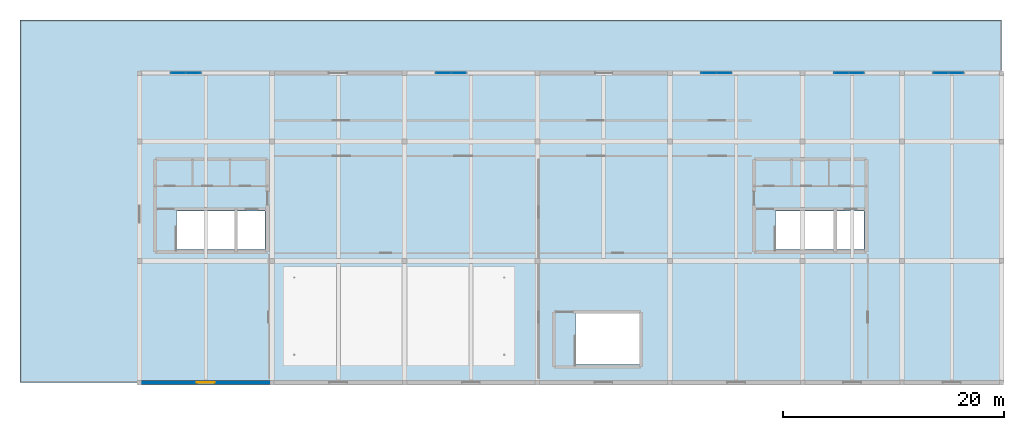
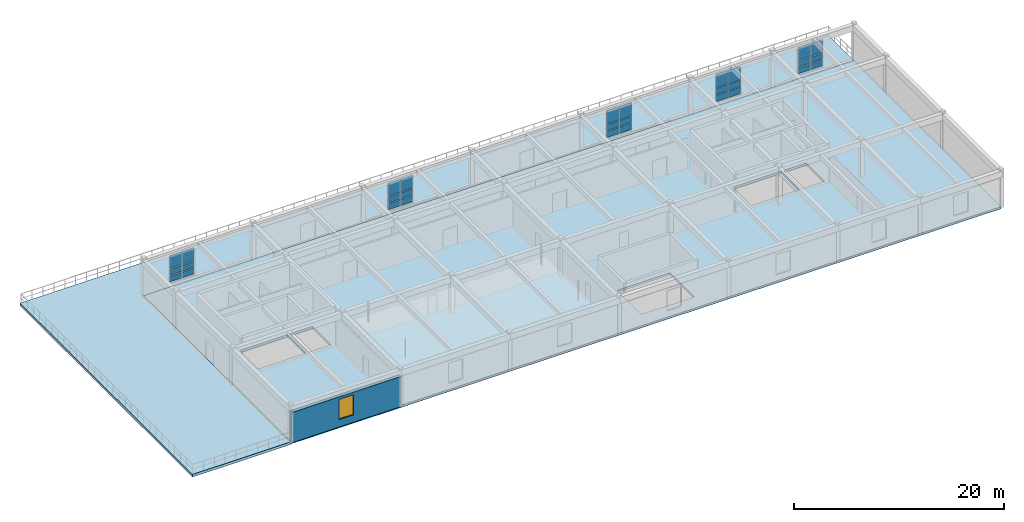
# One storey, part 11 of 15: 30 plates, 2 slabs, 1 wall, 1 window, 1 opening, 5 elements without a shape of their own.
"""IFC4 building model written with IfcOpenShell, lengths in metres."""

from ifc_helpers import new_model, si_unit, derived_unit, direction, frame, frame_2d, origin, origin_2d, place, context, subcontext, project, spatial, polyline, rectangle, outline, extrude, material, layer, layer_set, type_object, element, fill, aggregate, save


model = new_model("IFC4")

# Units and contexts
model_context = context("Model", 3, precision=1e-05, world=origin(), true_north=direction((0.0, 1.0)))
body_context = subcontext(model_context, "Body", "Model", "MODEL_VIEW")
ifc_project = project(units=[si_unit("LENGTHUNIT", "METRE"), si_unit("AREAUNIT", "SQUARE_METRE"), si_unit("VOLUMEUNIT", "CUBIC_METRE"), si_unit("PLANEANGLEUNIT", "RADIAN"), si_unit("MASSUNIT", "GRAM", prefix="KILO"), derived_unit("THERMALTRANSMITTANCEUNIT", [(si_unit("POWERUNIT", "WATT"), 1), (si_unit("LENGTHUNIT", "METRE"), -2), (si_unit("THERMODYNAMICTEMPERATUREUNIT", "KELVIN"), -1)])], contexts=[model_context])

# Site, building, storey
site_placement = place(None, origin())
site = spatial("IfcSite", under=ifc_project, at=site_placement, CompositionType="ELEMENT")
building_placement = place(site_placement, origin())
building = spatial("IfcBuilding", under=site, at=building_placement, Name="Almenara Railside Exhibition Hall", CompositionType="ELEMENT")
storey_placement = place(building_placement, frame((0.0, 0.0, 16.199951171875)))
storey = spatial("IfcBuildingStorey", under=building, at=storey_placement, Name="L03", CompositionType="ELEMENT", Elevation=16.199951171875)

# Curtain wall, plates
ifc_material_1 = material(Name="Bronze-anodised aluminium and low-E double glazing", Category="aluminium")
ifc_layer_1 = layer(ifc_material_1, 0.179931640625, Name="Bronze-anodised aluminium and low-E double glazing")
ifc_layer_set_1 = layer_set([ifc_layer_1], Name="Bronze-anodised aluminium and low-E double glazing")
curtain_wall_type = type_object("IfcCurtainWallType", Name="Belvedere North Loggia Curtain Wall 2800x3300", PredefinedType="NOTDEFINED", material=ifc_layer_set_1)
curtain_wall_1_placement = place(storey_placement, origin())
curtain_wall_1 = element("IfcCurtainWall", 1, at=curtain_wall_1_placement, inside=storey, type_object=curtain_wall_type, Name="Curtain wall CW-BV1-165", PredefinedType="NOTDEFINED")
ifc_material_2 = material(Name="Solar-control acoustic laminated glazing", Category="glass")
ifc_layer_2 = layer(ifc_material_2, 0.031982421875, Name="Solar-control acoustic laminated glazing")
ifc_layer_set_2 = layer_set([ifc_layer_2], Name="Solar-control acoustic laminated glazing")
plate_type_1 = type_object("IfcPlateType", Name="Acoustic Low-E Double Glazing Panel 32mm", PredefinedType="CURTAIN_PANEL", material=ifc_layer_set_2)
plate_1_placement = place(storey_placement, frame((177.514892578125, 28.0, 0.5439453125), z_axis=(0.0, 0.0, 1.0), x_axis=(1.0, 0.0, 0.0)))
plate_1 = element("IfcPlate", 2, at=plate_1_placement, type_object=plate_type_1, Name="CW-BV1-165 panel 1.1", PredefinedType="CURTAIN_PANEL", context=body_context, shape_type="SweptSolid", body=[
    extrude(rectangle(XDim=1.325927734375, YDim=0.031982421875, at=origin_2d()), origin(), (0.0, 0.0, 1.0), 0.717041015625),
])
plate_2_placement = place(storey_placement, frame((177.514892578125, 28.0, 1.3388671875), z_axis=(0.0, 0.0, 1.0), x_axis=(1.0, 0.0, 0.0)))
plate_2 = element("IfcPlate", 3, at=plate_2_placement, type_object=plate_type_1, Name="CW-BV1-165 panel 1.2", PredefinedType="CURTAIN_PANEL", context=body_context, shape_type="SweptSolid", body=[
    extrude(rectangle(XDim=1.325927734375, YDim=0.031982421875, at=origin_2d()), origin(), (0.0, 0.0, 1.0), 0.721923828125),
])
plate_3_placement = place(storey_placement, frame((177.514892578125, 28.0, 2.138916015625), z_axis=(0.0, 0.0, 1.0), x_axis=(1.0, 0.0, 0.0)))
plate_3 = element("IfcPlate", 4, at=plate_3_placement, type_object=plate_type_1, Name="CW-BV1-165 panel 1.3", PredefinedType="CURTAIN_PANEL", context=body_context, shape_type="SweptSolid", body=[
    extrude(rectangle(XDim=1.325927734375, YDim=0.031982421875, at=origin_2d()), origin(), (0.0, 0.0, 1.0), 1.51708984375),
])
plate_4_placement = place(storey_placement, frame((178.885009765625, 28.0, 0.5439453125), z_axis=(0.0, 0.0, 1.0), x_axis=(1.0, 0.0, 0.0)))
plate_4 = element("IfcPlate", 5, at=plate_4_placement, type_object=plate_type_1, Name="CW-BV1-165 panel 2.1", PredefinedType="CURTAIN_PANEL", context=body_context, shape_type="SweptSolid", body=[
    extrude(rectangle(XDim=1.325927734375, YDim=0.031982421875, at=origin_2d()), origin(), (0.0, 0.0, 1.0), 0.717041015625),
])
plate_5_placement = place(storey_placement, frame((178.885009765625, 28.0, 1.3388671875), z_axis=(0.0, 0.0, 1.0), x_axis=(1.0, 0.0, 0.0)))
plate_5 = element("IfcPlate", 6, at=plate_5_placement, type_object=plate_type_1, Name="CW-BV1-165 panel 2.2", PredefinedType="CURTAIN_PANEL", context=body_context, shape_type="SweptSolid", body=[
    extrude(rectangle(XDim=1.325927734375, YDim=0.031982421875, at=origin_2d()), origin(), (0.0, 0.0, 1.0), 0.721923828125),
])
plate_6_placement = place(storey_placement, frame((178.885009765625, 28.0, 2.138916015625), z_axis=(0.0, 0.0, 1.0), x_axis=(1.0, 0.0, 0.0)))
plate_6 = element("IfcPlate", 7, at=plate_6_placement, type_object=plate_type_1, Name="CW-BV1-165 panel 2.3", PredefinedType="CURTAIN_PANEL", context=body_context, shape_type="SweptSolid", body=[
    extrude(rectangle(XDim=1.325927734375, YDim=0.031982421875, at=origin_2d()), origin(), (0.0, 0.0, 1.0), 1.51708984375),
])
aggregate(curtain_wall_1, [plate_1, plate_2, plate_3, plate_4, plate_5, plate_6])

# Slab
ifc_material_3 = material(Name="Concrete C35/45", Category="concrete")
ifc_layer_3 = layer(ifc_material_3, 0.25, Name="Concrete C35/45")
ifc_layer_set_3 = layer_set([ifc_layer_3], Name="Concrete C35/45")
slab_type_1 = type_object("IfcSlabType", Name="Belvedere Suspended Slab 250mm C35/45", PredefinedType="FLOOR", material=ifc_layer_set_3)
slab_1_placement = place(storey_placement, frame((0.0, 0.0, -0.25)))
element("IfcSlab", 8, at=slab_1_placement, inside=storey, type_object=slab_type_1, Name="Congress L03 belvedere slab 025", PredefinedType="FLOOR", context=body_context, shape_type="SweptSolid", body=[
    extrude(outline(polyline([(126.0, 0.0), (204.0, 0.0), (204.0, 28.0), (126.0, 28.0), (126.0, 0.0)]), holes=[polyline([(129.350830078125, 12.050048828125), (134.60009765625, 12.050048828125), (134.60009765625, 15.5400390625), (129.350830078125, 15.5400390625), (129.350830078125, 12.050048828125)]), polyline([(134.89990234375, 12.050048828125), (137.35009765625, 12.050048828125), (137.35009765625, 15.5400390625), (134.89990234375, 15.5400390625), (134.89990234375, 12.050048828125)]), polyline([(183.55078125, 12.050048828125), (188.800048828125, 12.050048828125), (188.800048828125, 15.5400390625), (183.55078125, 15.5400390625), (183.55078125, 12.050048828125)]), polyline([(189.10009765625, 12.050048828125), (191.550048828125, 12.050048828125), (191.550048828125, 15.5400390625), (189.10009765625, 15.5400390625), (189.10009765625, 12.050048828125)]), polyline([(165.45068359375, 1.64990234375), (171.25, 1.64990234375), (171.25, 6.25), (165.45068359375, 6.25), (165.45068359375, 1.64990234375)])]), origin(), (0.0, 0.0, 1.0), 0.25),
])

# Curtain wall, plates
curtain_wall_2_placement = place(storey_placement, origin())
curtain_wall_2 = element("IfcCurtainWall", 9, at=curtain_wall_2_placement, inside=storey, type_object=curtain_wall_type, Name="Curtain wall CW-BV1-167", PredefinedType="NOTDEFINED")
ifc_material_4 = material(Name="Clear low-E laminated double glazing", Category="glass")
ifc_layer_4 = layer(ifc_material_4, 0.02392578125, Name="Clear low-E laminated double glazing")
ifc_layer_set_4 = layer_set([ifc_layer_4], Name="Clear low-E laminated double glazing")
plate_type_2 = type_object("IfcPlateType", Name="Courtyard Clear Double Glazing Panel 24mm", PredefinedType="CURTAIN_PANEL", material=ifc_layer_set_4)
plate_7_placement = place(storey_placement, frame((198.517578125, 28.0, 0.593994140625), z_axis=(0.0, 0.0, 1.0), x_axis=(1.0, 0.0, 0.0)))
plate_7 = element("IfcPlate", 10, at=plate_7_placement, type_object=plate_type_2, Name="CW-BV1-167 panel 1.1", PredefinedType="CURTAIN_PANEL", context=body_context, shape_type="SweptSolid", body=[
    extrude(rectangle(XDim=1.31103515625, YDim=0.02392578125, at=origin_2d()), origin(), (0.0, 0.0, 1.0), 0.64208984375),
])
plate_8_placement = place(storey_placement, frame((198.517578125, 28.0, 1.36376953125), z_axis=(0.0, 0.0, 1.0), x_axis=(1.0, 0.0, 0.0)))
plate_8 = element("IfcPlate", 11, at=plate_8_placement, type_object=plate_type_2, Name="CW-BV1-167 panel 1.2", PredefinedType="CURTAIN_PANEL", context=body_context, shape_type="SweptSolid", body=[
    extrude(rectangle(XDim=1.31103515625, YDim=0.02392578125, at=origin_2d()), origin(), (0.0, 0.0, 1.0), 0.672119140625),
])
plate_9_placement = place(storey_placement, frame((198.517578125, 28.0, 2.1640625), z_axis=(0.0, 0.0, 1.0), x_axis=(1.0, 0.0, 0.0)))
plate_9 = element("IfcPlate", 12, at=plate_9_placement, type_object=plate_type_2, Name="CW-BV1-167 panel 1.3", PredefinedType="CURTAIN_PANEL", context=body_context, shape_type="SweptSolid", body=[
    extrude(rectangle(XDim=1.31103515625, YDim=0.02392578125, at=origin_2d()), origin(), (0.0, 0.0, 1.0), 1.44189453125),
])
plate_10_placement = place(storey_placement, frame((199.882568359375, 28.0, 0.593994140625), z_axis=(0.0, 0.0, 1.0), x_axis=(1.0, 0.0, 0.0)))
plate_10 = element("IfcPlate", 13, at=plate_10_placement, type_object=plate_type_2, Name="CW-BV1-167 panel 2.1", PredefinedType="CURTAIN_PANEL", context=body_context, shape_type="SweptSolid", body=[
    extrude(rectangle(XDim=1.31103515625, YDim=0.02392578125, at=origin_2d()), origin(), (0.0, 0.0, 1.0), 0.64208984375),
])
plate_11_placement = place(storey_placement, frame((199.882568359375, 28.0, 1.36376953125), z_axis=(0.0, 0.0, 1.0), x_axis=(1.0, 0.0, 0.0)))
plate_11 = element("IfcPlate", 14, at=plate_11_placement, type_object=plate_type_2, Name="CW-BV1-167 panel 2.2", PredefinedType="CURTAIN_PANEL", context=body_context, shape_type="SweptSolid", body=[
    extrude(rectangle(XDim=1.31103515625, YDim=0.02392578125, at=origin_2d()), origin(), (0.0, 0.0, 1.0), 0.672119140625),
])
plate_12_placement = place(storey_placement, frame((199.882568359375, 28.0, 2.1640625), z_axis=(0.0, 0.0, 1.0), x_axis=(1.0, 0.0, 0.0)))
plate_12 = element("IfcPlate", 15, at=plate_12_placement, type_object=plate_type_2, Name="CW-BV1-167 panel 2.3", PredefinedType="CURTAIN_PANEL", context=body_context, shape_type="SweptSolid", body=[
    extrude(rectangle(XDim=1.31103515625, YDim=0.02392578125, at=origin_2d()), origin(), (0.0, 0.0, 1.0), 1.44189453125),
])
aggregate(curtain_wall_2, [plate_7, plate_8, plate_9, plate_10, plate_11, plate_12])

curtain_wall_3_placement = place(storey_placement, origin())
curtain_wall_3 = element("IfcCurtainWall", 16, at=curtain_wall_3_placement, inside=storey, type_object=curtain_wall_type, Name="Curtain wall CW-BV1-163", PredefinedType="NOTDEFINED")
ifc_material_5 = material(Name="Bronze-anodised insulated aluminium spandrel", Category="aluminium")
ifc_layer_5 = layer(ifc_material_5, 0.0400390625, Name="Bronze-anodised insulated aluminium spandrel")
ifc_layer_set_5 = layer_set([ifc_layer_5], Name="Bronze-anodised insulated aluminium spandrel")
plate_type_3 = type_object("IfcPlateType", Name="Insulated Bronze Spandrel Panel 40mm", PredefinedType="CURTAIN_PANEL", material=ifc_layer_set_5)
plate_13_placement = place(storey_placement, frame((129.517578125, 28.0, 0.593994140625), z_axis=(0.0, 0.0, 1.0), x_axis=(1.0, 0.0, 0.0)))
plate_13 = element("IfcPlate", 17, at=plate_13_placement, type_object=plate_type_3, Name="CW-BV1-163 panel 1.1", PredefinedType="CURTAIN_PANEL", context=body_context, shape_type="SweptSolid", body=[
    extrude(rectangle(XDim=1.31103515625, YDim=0.0400390625, at=origin_2d()), origin(), (0.0, 0.0, 1.0), 0.64208984375),
])
plate_14_placement = place(storey_placement, frame((129.517578125, 28.0, 1.36376953125), z_axis=(0.0, 0.0, 1.0), x_axis=(1.0, 0.0, 0.0)))
plate_14 = element("IfcPlate", 18, at=plate_14_placement, type_object=plate_type_3, Name="CW-BV1-163 panel 1.2", PredefinedType="CURTAIN_PANEL", context=body_context, shape_type="SweptSolid", body=[
    extrude(rectangle(XDim=1.31103515625, YDim=0.0400390625, at=origin_2d()), origin(), (0.0, 0.0, 1.0), 0.672119140625),
])
plate_15_placement = place(storey_placement, frame((129.517578125, 28.0, 2.1640625), z_axis=(0.0, 0.0, 1.0), x_axis=(1.0, 0.0, 0.0)))
plate_15 = element("IfcPlate", 19, at=plate_15_placement, type_object=plate_type_3, Name="CW-BV1-163 panel 1.3", PredefinedType="CURTAIN_PANEL", context=body_context, shape_type="SweptSolid", body=[
    extrude(rectangle(XDim=1.31103515625, YDim=0.0400390625, at=origin_2d()), origin(), (0.0, 0.0, 1.0), 1.44189453125),
])
plate_16_placement = place(storey_placement, frame((130.882568359375, 28.0, 0.593994140625), z_axis=(0.0, 0.0, 1.0), x_axis=(1.0, 0.0, 0.0)))
plate_16 = element("IfcPlate", 20, at=plate_16_placement, type_object=plate_type_3, Name="CW-BV1-163 panel 2.1", PredefinedType="CURTAIN_PANEL", context=body_context, shape_type="SweptSolid", body=[
    extrude(rectangle(XDim=1.31103515625, YDim=0.0400390625, at=origin_2d()), origin(), (0.0, 0.0, 1.0), 0.64208984375),
])
plate_17_placement = place(storey_placement, frame((130.882568359375, 28.0, 1.36376953125), z_axis=(0.0, 0.0, 1.0), x_axis=(1.0, 0.0, 0.0)))
plate_17 = element("IfcPlate", 21, at=plate_17_placement, type_object=plate_type_3, Name="CW-BV1-163 panel 2.2", PredefinedType="CURTAIN_PANEL", context=body_context, shape_type="SweptSolid", body=[
    extrude(rectangle(XDim=1.31103515625, YDim=0.0400390625, at=origin_2d()), origin(), (0.0, 0.0, 1.0), 0.672119140625),
])
plate_18_placement = place(storey_placement, frame((130.882568359375, 28.0, 2.1640625), z_axis=(0.0, 0.0, 1.0), x_axis=(1.0, 0.0, 0.0)))
plate_18 = element("IfcPlate", 22, at=plate_18_placement, type_object=plate_type_3, Name="CW-BV1-163 panel 2.3", PredefinedType="CURTAIN_PANEL", context=body_context, shape_type="SweptSolid", body=[
    extrude(rectangle(XDim=1.31103515625, YDim=0.0400390625, at=origin_2d()), origin(), (0.0, 0.0, 1.0), 1.44189453125),
])
aggregate(curtain_wall_3, [plate_13, plate_14, plate_15, plate_16, plate_17, plate_18])

curtain_wall_4_placement = place(storey_placement, origin())
curtain_wall_4 = element("IfcCurtainWall", 23, at=curtain_wall_4_placement, inside=storey, type_object=curtain_wall_type, Name="Curtain wall CW-BV1-164", PredefinedType="NOTDEFINED")
ifc_layer_6 = layer(ifc_material_5, 0.034912109375, Name="Bronze-anodised insulated aluminium spandrel")
ifc_layer_set_6 = layer_set([ifc_layer_6], Name="Bronze-anodised insulated aluminium spandrel")
plate_type_4 = type_object("IfcPlateType", Name="Insulated Stucco-Tone Spandrel Panel 35mm", PredefinedType="CURTAIN_PANEL", material=ifc_layer_set_6)
plate_19_placement = place(storey_placement, frame((153.516357421875, 28.0, 0.57421875), z_axis=(0.0, 0.0, 1.0), x_axis=(1.0, 0.0, 0.0)))
plate_19 = element("IfcPlate", 24, at=plate_19_placement, type_object=plate_type_4, Name="CW-BV1-164 panel 1.1", PredefinedType="CURTAIN_PANEL", context=body_context, shape_type="SweptSolid", body=[
    extrude(rectangle(XDim=1.318603515625, YDim=0.034912109375, at=origin_2d()), origin(), (0.0, 0.0, 1.0), 0.672119140625),
])
plate_20_placement = place(storey_placement, frame((153.516357421875, 28.0, 1.35400390625), z_axis=(0.0, 0.0, 1.0), x_axis=(1.0, 0.0, 0.0)))
plate_20 = element("IfcPlate", 25, at=plate_20_placement, type_object=plate_type_4, Name="CW-BV1-164 panel 1.2", PredefinedType="CURTAIN_PANEL", context=body_context, shape_type="SweptSolid", body=[
    extrude(rectangle(XDim=1.318603515625, YDim=0.034912109375, at=origin_2d()), origin(), (0.0, 0.0, 1.0), 0.69189453125),
])
plate_21_placement = place(storey_placement, frame((153.516357421875, 28.0, 2.154296875), z_axis=(0.0, 0.0, 1.0), x_axis=(1.0, 0.0, 0.0)))
plate_21 = element("IfcPlate", 26, at=plate_21_placement, type_object=plate_type_4, Name="CW-BV1-164 panel 1.3", PredefinedType="CURTAIN_PANEL", context=body_context, shape_type="SweptSolid", body=[
    extrude(rectangle(XDim=1.318603515625, YDim=0.034912109375, at=origin_2d()), origin(), (0.0, 0.0, 1.0), 1.471923828125),
])
plate_22_placement = place(storey_placement, frame((154.8837890625, 28.0, 0.57421875), z_axis=(0.0, 0.0, 1.0), x_axis=(1.0, 0.0, 0.0)))
plate_22 = element("IfcPlate", 27, at=plate_22_placement, type_object=plate_type_4, Name="CW-BV1-164 panel 2.1", PredefinedType="CURTAIN_PANEL", context=body_context, shape_type="SweptSolid", body=[
    extrude(rectangle(XDim=1.318603515625, YDim=0.034912109375, at=origin_2d()), origin(), (0.0, 0.0, 1.0), 0.672119140625),
])
plate_23_placement = place(storey_placement, frame((154.8837890625, 28.0, 1.35400390625), z_axis=(0.0, 0.0, 1.0), x_axis=(1.0, 0.0, 0.0)))
plate_23 = element("IfcPlate", 28, at=plate_23_placement, type_object=plate_type_4, Name="CW-BV1-164 panel 2.2", PredefinedType="CURTAIN_PANEL", context=body_context, shape_type="SweptSolid", body=[
    extrude(rectangle(XDim=1.318603515625, YDim=0.034912109375, at=origin_2d()), origin(), (0.0, 0.0, 1.0), 0.69189453125),
])
plate_24_placement = place(storey_placement, frame((154.8837890625, 28.0, 2.154296875), z_axis=(0.0, 0.0, 1.0), x_axis=(1.0, 0.0, 0.0)))
plate_24 = element("IfcPlate", 29, at=plate_24_placement, type_object=plate_type_4, Name="CW-BV1-164 panel 2.3", PredefinedType="CURTAIN_PANEL", context=body_context, shape_type="SweptSolid", body=[
    extrude(rectangle(XDim=1.318603515625, YDim=0.034912109375, at=origin_2d()), origin(), (0.0, 0.0, 1.0), 1.471923828125),
])
aggregate(curtain_wall_4, [plate_19, plate_20, plate_21, plate_22, plate_23, plate_24])

curtain_wall_5_placement = place(storey_placement, origin())
curtain_wall_5 = element("IfcCurtainWall", 30, at=curtain_wall_5_placement, inside=storey, type_object=curtain_wall_type, Name="Curtain wall CW-BV1-166", PredefinedType="NOTDEFINED")
ifc_material_6 = material(Name="Solar-control low-E laminated double glazing", Category="glass")
ifc_layer_7 = layer(ifc_material_6, 0.028076171875, Name="Solar-control low-E laminated double glazing")
ifc_layer_set_7 = layer_set([ifc_layer_7], Name="Solar-control low-E laminated double glazing")
plate_type_5 = type_object("IfcPlateType", Name="Low-E Solar Control Double Glazing Panel 28mm", PredefinedType="CURTAIN_PANEL", material=ifc_layer_set_7)
plate_25_placement = place(storey_placement, frame((189.513671875, 28.0, 0.52392578125), z_axis=(0.0, 0.0, 1.0), x_axis=(1.0, 0.0, 0.0)))
plate_25 = element("IfcPlate", 31, at=plate_25_placement, type_object=plate_type_5, Name="CW-BV1-166 panel 1.1", PredefinedType="CURTAIN_PANEL", context=body_context, shape_type="SweptSolid", body=[
    extrude(rectangle(XDim=1.33349609375, YDim=0.028076171875, at=origin_2d()), origin(), (0.0, 0.0, 1.0), 0.7470703125),
])
plate_26_placement = place(storey_placement, frame((189.513671875, 28.0, 1.3291015625), z_axis=(0.0, 0.0, 1.0), x_axis=(1.0, 0.0, 0.0)))
plate_26 = element("IfcPlate", 32, at=plate_26_placement, type_object=plate_type_5, Name="CW-BV1-166 panel 1.2", PredefinedType="CURTAIN_PANEL", context=body_context, shape_type="SweptSolid", body=[
    extrude(rectangle(XDim=1.33349609375, YDim=0.028076171875, at=origin_2d()), origin(), (0.0, 0.0, 1.0), 0.741943359375),
])
plate_27_placement = place(storey_placement, frame((189.513671875, 28.0, 2.12890625), z_axis=(0.0, 0.0, 1.0), x_axis=(1.0, 0.0, 0.0)))
plate_27 = element("IfcPlate", 33, at=plate_27_placement, type_object=plate_type_5, Name="CW-BV1-166 panel 1.3", PredefinedType="CURTAIN_PANEL", context=body_context, shape_type="SweptSolid", body=[
    extrude(rectangle(XDim=1.33349609375, YDim=0.028076171875, at=origin_2d()), origin(), (0.0, 0.0, 1.0), 1.547119140625),
])
plate_28_placement = place(storey_placement, frame((190.88623046875, 28.0, 0.52392578125), z_axis=(0.0, 0.0, 1.0), x_axis=(1.0, 0.0, 0.0)))
plate_28 = element("IfcPlate", 34, at=plate_28_placement, type_object=plate_type_5, Name="CW-BV1-166 panel 2.1", PredefinedType="CURTAIN_PANEL", context=body_context, shape_type="SweptSolid", body=[
    extrude(rectangle(XDim=1.33349609375, YDim=0.028076171875, at=origin_2d()), origin(), (0.0, 0.0, 1.0), 0.7470703125),
])
plate_29_placement = place(storey_placement, frame((190.88623046875, 28.0, 1.3291015625), z_axis=(0.0, 0.0, 1.0), x_axis=(1.0, 0.0, 0.0)))
plate_29 = element("IfcPlate", 35, at=plate_29_placement, type_object=plate_type_5, Name="CW-BV1-166 panel 2.2", PredefinedType="CURTAIN_PANEL", context=body_context, shape_type="SweptSolid", body=[
    extrude(rectangle(XDim=1.33349609375, YDim=0.028076171875, at=origin_2d()), origin(), (0.0, 0.0, 1.0), 0.741943359375),
])
plate_30_placement = place(storey_placement, frame((190.88623046875, 28.0, 2.12890625), z_axis=(0.0, 0.0, 1.0), x_axis=(1.0, 0.0, 0.0)))
plate_30 = element("IfcPlate", 36, at=plate_30_placement, type_object=plate_type_5, Name="CW-BV1-166 panel 2.3", PredefinedType="CURTAIN_PANEL", context=body_context, shape_type="SweptSolid", body=[
    extrude(rectangle(XDim=1.33349609375, YDim=0.028076171875, at=origin_2d()), origin(), (0.0, 0.0, 1.0), 1.547119140625),
])
aggregate(curtain_wall_5, [plate_25, plate_26, plate_27, plate_28, plate_29, plate_30])

# Slab
ifc_material_7 = material(Name="Concrete C40/50", Category="concrete")
ifc_layer_8 = layer(ifc_material_7, 0.31005859375, Name="Concrete C40/50")
ifc_layer_set_8 = layer_set([ifc_layer_8], Name="Concrete C40/50")
slab_type_2 = type_object("IfcSlabType", Name="Planted Roof Garden Structural Slab 310mm C40/50", PredefinedType="FLOOR", material=ifc_layer_set_8)
slab_2_placement = place(storey_placement, frame((0.0, 0.0, -0.31005859375)))
element("IfcSlab", 37, at=slab_2_placement, inside=storey, type_object=slab_type_2, Name="Congress L03 planted roof terrace 026", PredefinedType="FLOOR", context=body_context, shape_type="SweptSolid", body=[
    extrude(outline(polyline([(115.199951171875, 0.0), (126.0, 0.0), (126.0, 28.0), (204.0, 28.0), (204.0, 32.800048828125), (115.199951171875, 32.800048828125), (115.199951171875, 0.0)])), origin(), (0.0, 0.0, 1.0), 0.31005859375),
])

# Wall, opening, window
ifc_material_8 = material(Name="Ochre-white lime-rendered masonry over Concrete C35/45", Category="masonry")
ifc_layer_9 = layer(ifc_material_8, 0.3349609375, Name="Ochre-white lime-rendered masonry over Concrete C35/45")
ifc_layer_set_9 = layer_set([ifc_layer_9], Name="Ochre-white lime-rendered masonry over Concrete C35/45")
wall_type = type_object("IfcWallType", Name="Exterior Belvedere Wall 335mm C35/45", PredefinedType="SOLIDWALL", material=ifc_layer_set_9)
wall_placement = place(storey_placement, frame((126.0, 0.0, 0.0), z_axis=(0.0, 0.0, 1.0), x_axis=(1.0, 0.0, 0.0)))
wall = element("IfcWall", 38, at=wall_placement, inside=storey, type_object=wall_type, Name="Exterior wall 0280", PredefinedType="SOLIDWALL", context=body_context, shape_type="SweptSolid", body=[
    extrude(rectangle(XDim=12.0, YDim=0.3349609375, at=frame_2d((6.0, 0.0))), origin(), (0.0, 0.0, 1.0), 3.5),
])
opening_placement = place(wall_placement, frame((5.199951171875, 0.0, 0.85009765625)))
opening = element("IfcOpeningElement", 39, at=opening_placement, cuts=wall, Name="Opening W-07", PredefinedType="OPENING", context=body_context, shape_type="SweptSolid", body=[
    extrude(rectangle(XDim=1.60009765625, YDim=2.35009765625, at=frame_2d((0.800048828125, 1.175048828125))), frame((0.0, 0.177490234375, 0.0), z_axis=(0.0, -1.0, 0.0), x_axis=(1.0, 0.0, 0.0)), (0.0, 0.0, 1.0), 0.35498046875),
])
window_type = type_object("IfcWindowType", Name="Belvedere Casement Window 1600x2350", PartitioningType="DOUBLE_PANEL_VERTICAL", PredefinedType="WINDOW", material=ifc_material_1)
window_placement = place(opening_placement, origin())
window = element("IfcWindow", 40, at=window_placement, inside=storey, type_object=window_type, Name="Window 0123", OverallHeight=2.35009765625, OverallWidth=1.60009765625, PartitioningType="DOUBLE_PANEL_VERTICAL", PredefinedType="WINDOW", context=body_context, shape_type="SweptSolid", body=[
    extrude(rectangle(XDim=1.60009765625, YDim=2.35009765625, at=frame_2d((0.800048828125, 1.175048828125))), frame((0.0, 0.030029296875, 0.0), z_axis=(0.0, -1.0, 0.0), x_axis=(1.0, 0.0, 0.0)), (0.0, 0.0, 1.0), 0.06005859375),
])
fill(opening, window)

save(model, "model.ifc")
